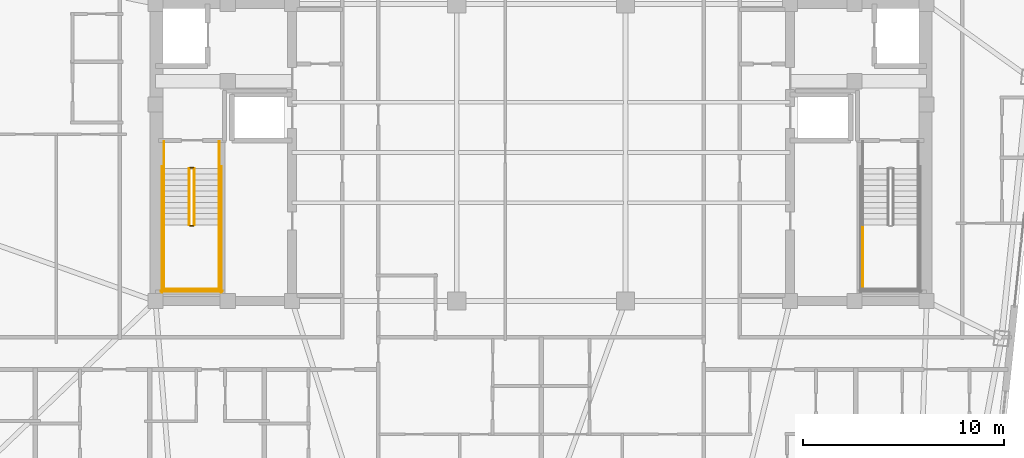
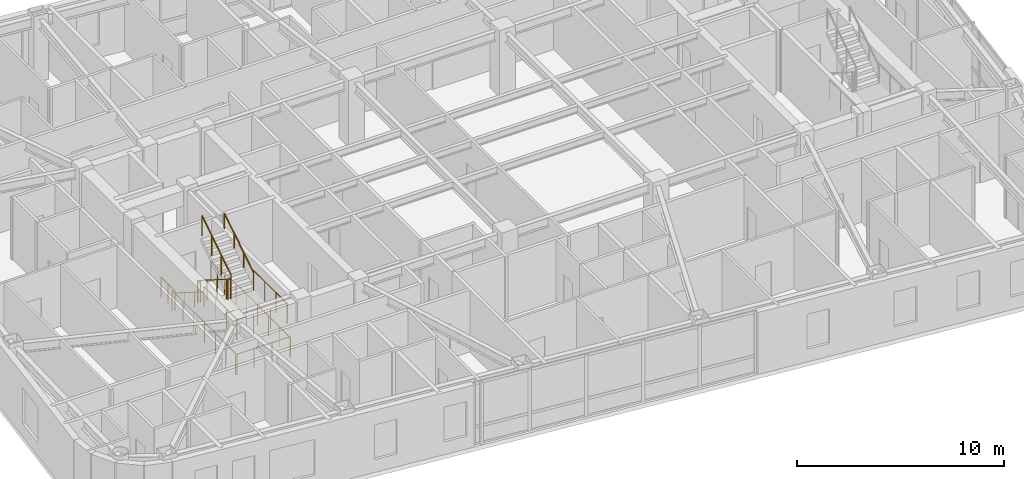
# One storey, part 22 of 23: 15 railings.
"""IFC4 building model written with IfcOpenShell, lengths in metres."""

from ifc_helpers import new_model, si_unit, direction, frame, origin, origin_2d, place, context, subcontext, project, spatial, circle, extrude, material, type_object, element, save


model = new_model("IFC4")

# Units and contexts
model_context = context("Model", 3, precision=1e-05, world=origin(), true_north=direction((0.0, 1.0)))
body_context = subcontext(model_context, "Body", "Model", "MODEL_VIEW")
ifc_project = project(units=[si_unit("LENGTHUNIT", "METRE"), si_unit("AREAUNIT", "SQUARE_METRE"), si_unit("VOLUMEUNIT", "CUBIC_METRE"), si_unit("PLANEANGLEUNIT", "RADIAN"), si_unit("MASSUNIT", "GRAM", prefix="KILO")], contexts=[model_context])

# Site, building, storey
site_placement = place(None, origin())
site = spatial("IfcSite", under=ifc_project, at=site_placement, CompositionType="ELEMENT")
building_placement = place(site_placement, origin())
building = spatial("IfcBuilding", under=site, at=building_placement, Name="Voryun Gate Residences", CompositionType="ELEMENT")
storey_placement = place(building_placement, frame((0.0, 0.0, 275.60009765625)))
storey = spatial("IfcBuildingStorey", under=building, at=storey_placement, Name="L68", CompositionType="ELEMENT", Elevation=275.60009765625)

# Railings
ifc_material_1 = material(Name="Painted steel", Category="steel")
railing_type_1 = type_object("IfcRailingType", Name="RAIL_STAIR_GUARD_1200", PredefinedType="GUARDRAIL", material=ifc_material_1)
railing_1_placement = place(storey_placement, frame((-17.52490234375, -0.800048828125, 0.17724609375)))
element("IfcRailing", 1, at=railing_1_placement, inside=storey, type_object=railing_type_1, Name="L68 ST-W1 stair guard 1", PredefinedType="GUARDRAIL", context=body_context, shape_type="SweptSolid", body=[
    extrude(circle(Radius=0.02392578125, at=origin_2d()), frame((0.0, 0.0, 1.17578125), z_axis=(0.0, -0.844908973607, 0.534910110503), x_axis=(1.0, 0.0, 0.0)), (0.0, 0.0, 1.0), 3.31396484375),
    extrude(circle(Radius=0.02099609375, at=origin_2d()), origin(), (0.0, 0.0, 1.0), 1.15185546875),
    extrude(circle(Radius=0.02099609375, at=origin_2d()), frame((0.0, -0.933349609375, 0.5908203125)), (0.0, 0.0, 1.0), 1.15185546875),
    extrude(circle(Radius=0.02099609375, at=origin_2d()), frame((0.0, -1.86669921875, 1.181884765625)), (0.0, 0.0, 1.0), 1.15185546875),
    extrude(circle(Radius=0.02099609375, at=origin_2d()), frame((0.0, -2.800048828125, 1.772705078125)), (0.0, 0.0, 1.0), 1.15185546875),
])
railing_2_placement = place(storey_placement, frame((-17.47509765625, -3.64990234375, 1.949951171875)))
element("IfcRailing", 2, at=railing_2_placement, inside=storey, type_object=railing_type_1, Name="L68 ST-W1 stair guard 2", PredefinedType="GUARDRAIL", context=body_context, shape_type="SweptSolid", body=[
    extrude(circle(Radius=0.02392578125, at=origin_2d()), frame((0.0, 0.0, 1.17578125), z_axis=(1.0, 0.0, 0.0), x_axis=(0.0, 1.0, 0.0)), (0.0, 0.0, 1.0), 0.150146484375),
    extrude(circle(Radius=0.02099609375, at=origin_2d()), origin(), (0.0, 0.0, 1.0), 1.15185546875),
    extrude(circle(Radius=0.02099609375, at=origin_2d()), frame((0.150146484375, 0.0, 0.0)), (0.0, 0.0, 1.0), 1.15185546875),
])
for number, where, name in (
    (3, (-18.77490234375, -3.60009765625, 1.949951171875), "L68 ST-W1 stair guard 3"),
    (4, (-16.02490234375, -3.60009765625, 1.949951171875), "L68 ST-W1 stair guard 4"),
):
    element("IfcRailing", number, at=place(storey_placement, frame(where)), inside=storey, type_object=railing_type_1, Name=name, PredefinedType="GUARDRAIL", context=body_context, shape_type="SweptSolid", body=[
        extrude(circle(Radius=0.02392578125, at=origin_2d()), frame((0.0, 0.0, 1.17578125), z_axis=(0.0, -1.0, 0.0), x_axis=(1.0, 0.0, 0.0)), (0.0, 0.0, 1.0), 3.25),
        extrude(circle(Radius=0.02099609375, at=origin_2d()), origin(), (0.0, 0.0, 1.0), 1.15185546875),
        extrude(circle(Radius=0.02099609375, at=origin_2d()), frame((0.0, -1.083251953125, 0.0)), (0.0, 0.0, 1.0), 1.15185546875),
        extrude(circle(Radius=0.02099609375, at=origin_2d()), frame((0.0, -2.166748046875, 0.0)), (0.0, 0.0, 1.0), 1.15185546875),
        extrude(circle(Radius=0.02099609375, at=origin_2d()), frame((0.0, -3.25, 0.0)), (0.0, 0.0, 1.0), 1.15185546875),
    ])
railing_3_placement = place(storey_placement, frame((-18.824951171875, -6.800048828125, 1.949951171875)))
element("IfcRailing", 5, at=railing_3_placement, inside=storey, type_object=railing_type_1, Name="L68 ST-W1 stair guard 5", PredefinedType="GUARDRAIL", context=body_context, shape_type="SweptSolid", body=[
    extrude(circle(Radius=0.02392578125, at=origin_2d()), frame((0.0, 0.0, 1.17578125), z_axis=(1.0, 0.0, 0.0), x_axis=(0.0, 1.0, 0.0)), (0.0, 0.0, 1.0), 2.849853515625),
    extrude(circle(Radius=0.02099609375, at=origin_2d()), origin(), (0.0, 0.0, 1.0), 1.15185546875),
    extrude(circle(Radius=0.02099609375, at=origin_2d()), frame((0.949951171875, 0.0, 0.0)), (0.0, 0.0, 1.0), 1.15185546875),
    extrude(circle(Radius=0.02099609375, at=origin_2d()), frame((1.89990234375, 0.0, 0.0)), (0.0, 0.0, 1.0), 1.15185546875),
    extrude(circle(Radius=0.02099609375, at=origin_2d()), frame((2.849853515625, 0.0, 0.0)), (0.0, 0.0, 1.0), 1.15185546875),
])
railing_4_placement = place(storey_placement, frame((-17.27490234375, -3.60009765625, 2.127197265625)))
element("IfcRailing", 6, at=railing_4_placement, inside=storey, type_object=railing_type_1, Name="L68 ST-W1 stair guard 6", PredefinedType="GUARDRAIL", context=body_context, shape_type="SweptSolid", body=[
    extrude(circle(Radius=0.02392578125, at=origin_2d()), frame((0.0, 0.0, 1.17578125), z_axis=(0.0, 0.844908973607, 0.534910110503), x_axis=(-1.0, 0.0, 0.0)), (0.0, 0.0, 1.0), 3.31396484375),
    extrude(circle(Radius=0.02099609375, at=origin_2d()), origin(), (0.0, 0.0, 1.0), 1.15185546875),
    extrude(circle(Radius=0.02099609375, at=origin_2d()), frame((0.0, 0.933349609375, 0.5908203125)), (0.0, 0.0, 1.0), 1.15185546875),
    extrude(circle(Radius=0.02099609375, at=origin_2d()), frame((0.0, 1.86669921875, 1.181884765625)), (0.0, 0.0, 1.0), 1.15185546875),
    extrude(circle(Radius=0.02099609375, at=origin_2d()), frame((0.0, 2.800048828125, 1.772705078125)), (0.0, 0.0, 1.0), 1.15185546875),
])
railing_5_placement = place(storey_placement, frame((-17.47509765625, -0.75, 0.0)))
element("IfcRailing", 7, at=railing_5_placement, inside=storey, type_object=railing_type_1, Name="L68 ST-W1 stair guard 7", PredefinedType="GUARDRAIL", context=body_context, shape_type="SweptSolid", body=[
    extrude(circle(Radius=0.02392578125, at=origin_2d()), frame((0.0, 0.0, 1.17578125), z_axis=(1.0, 0.0, 0.0), x_axis=(0.0, 1.0, 0.0)), (0.0, 0.0, 1.0), 0.150146484375),
    extrude(circle(Radius=0.02099609375, at=origin_2d()), origin(), (0.0, 0.0, 1.0), 1.15185546875),
    extrude(circle(Radius=0.02099609375, at=origin_2d()), frame((0.150146484375, 0.0, 0.0)), (0.0, 0.0, 1.0), 1.15185546875),
])
for number, where, name in (
    (8, (-18.77490234375, 0.550048828125, 0.0), "L68 ST-W1 stair guard 8"),
    (9, (-16.02490234375, 0.550048828125, 0.0), "L68 ST-W1 stair guard 9"),
):
    element("IfcRailing", number, at=place(storey_placement, frame(where)), inside=storey, type_object=railing_type_1, Name=name, PredefinedType="GUARDRAIL", context=body_context, shape_type="SweptSolid", body=[
        extrude(circle(Radius=0.02392578125, at=origin_2d()), frame((0.0, 0.0, 1.17578125), z_axis=(0.0, -1.0, 0.0), x_axis=(1.0, 0.0, 0.0)), (0.0, 0.0, 1.0), 1.35009765625),
        extrude(circle(Radius=0.02099609375, at=origin_2d()), origin(), (0.0, 0.0, 1.0), 1.15185546875),
        extrude(circle(Radius=0.02099609375, at=origin_2d()), frame((0.0, -0.675048828125, 0.0)), (0.0, 0.0, 1.0), 1.15185546875),
        extrude(circle(Radius=0.02099609375, at=origin_2d()), frame((0.0, -1.35009765625, 0.0)), (0.0, 0.0, 1.0), 1.15185546875),
    ])
for number, where, name in (
    (10, (-18.875, -0.699951171875, 0.0), "L68 ST-W1 stair guard 10"),
    (11, (-15.925048828125, -0.699951171875, 0.0), "L68 ST-W1 stair guard 11"),
):
    element("IfcRailing", number, at=place(storey_placement, frame(where)), inside=storey, type_object=railing_type_1, Name=name, PredefinedType="GUARDRAIL", context=body_context, shape_type="SweptSolid", body=[
        extrude(circle(Radius=0.02392578125, at=origin_2d()), frame((0.0, 0.0, 1.17578125), z_axis=(0.0, -1.0, 0.0), x_axis=(1.0, 0.0, 0.0)), (0.0, 0.0, 1.0), 6.25),
        extrude(circle(Radius=0.02099609375, at=origin_2d()), origin(), (0.0, 0.0, 1.0), 1.15185546875),
        extrude(circle(Radius=0.02099609375, at=origin_2d()), frame((0.0, -1.041748046875, 0.0)), (0.0, 0.0, 1.0), 1.15185546875),
        extrude(circle(Radius=0.02099609375, at=origin_2d()), frame((0.0, -2.083251953125, 0.0)), (0.0, 0.0, 1.0), 1.15185546875),
        extrude(circle(Radius=0.02099609375, at=origin_2d()), frame((0.0, -3.125, 0.0)), (0.0, 0.0, 1.0), 1.15185546875),
        extrude(circle(Radius=0.02099609375, at=origin_2d()), frame((0.0, -4.166748046875, 0.0)), (0.0, 0.0, 1.0), 1.15185546875),
        extrude(circle(Radius=0.02099609375, at=origin_2d()), frame((0.0, -5.208251953125, 0.0)), (0.0, 0.0, 1.0), 1.15185546875),
        extrude(circle(Radius=0.02099609375, at=origin_2d()), frame((0.0, -6.25, 0.0)), (0.0, 0.0, 1.0), 1.15185546875),
    ])
railing_6_placement = place(storey_placement, frame((-18.925048828125, -6.89990234375, 0.0)))
element("IfcRailing", 12, at=railing_6_placement, inside=storey, type_object=railing_type_1, Name="L68 ST-W1 stair guard 12", PredefinedType="GUARDRAIL", context=body_context, shape_type="SweptSolid", body=[
    extrude(circle(Radius=0.02392578125, at=origin_2d()), frame((0.0, 0.0, 1.17578125), z_axis=(1.0, 0.0, 0.0), x_axis=(0.0, 1.0, 0.0)), (0.0, 0.0, 1.0), 3.050048828125),
    extrude(circle(Radius=0.02099609375, at=origin_2d()), origin(), (0.0, 0.0, 1.0), 1.15185546875),
    extrude(circle(Radius=0.02099609375, at=origin_2d()), frame((1.0166015625, 0.0, 0.0)), (0.0, 0.0, 1.0), 1.15185546875),
    extrude(circle(Radius=0.02099609375, at=origin_2d()), frame((2.033447265625, 0.0, 0.0)), (0.0, 0.0, 1.0), 1.15185546875),
    extrude(circle(Radius=0.02099609375, at=origin_2d()), frame((3.050048828125, 0.0, 0.0)), (0.0, 0.0, 1.0), 1.15185546875),
])
railing_7_placement = place(storey_placement, frame((16.02490234375, -3.60009765625, 1.949951171875)))
element("IfcRailing", 13, at=railing_7_placement, inside=storey, type_object=railing_type_1, Name="L68 ST-E1 stair guard 3", PredefinedType="GUARDRAIL", context=body_context, shape_type="SweptSolid", body=[
    extrude(circle(Radius=0.02392578125, at=origin_2d()), frame((0.0, 0.0, 1.17578125), z_axis=(0.0, -1.0, 0.0), x_axis=(1.0, 0.0, 0.0)), (0.0, 0.0, 1.0), 3.25),
    extrude(circle(Radius=0.02099609375, at=origin_2d()), origin(), (0.0, 0.0, 1.0), 1.15185546875),
    extrude(circle(Radius=0.02099609375, at=origin_2d()), frame((0.0, -1.083251953125, 0.0)), (0.0, 0.0, 1.0), 1.15185546875),
    extrude(circle(Radius=0.02099609375, at=origin_2d()), frame((0.0, -2.166748046875, 0.0)), (0.0, 0.0, 1.0), 1.15185546875),
    extrude(circle(Radius=0.02099609375, at=origin_2d()), frame((0.0, -3.25, 0.0)), (0.0, 0.0, 1.0), 1.15185546875),
])
ifc_material_2 = material(Name="Painted steel", Category="steel")
railing_type_2 = type_object("IfcRailingType", Name="RAIL_STAIR_HANDRAIL_900", PredefinedType="HANDRAIL", material=ifc_material_2)
railing_8_placement = place(storey_placement, frame((-18.77490234375, -0.800048828125, 0.17724609375)))
element("IfcRailing", 14, at=railing_8_placement, inside=storey, type_object=railing_type_2, Name="L68 ST-W1 stair handrail 1", PredefinedType="HANDRAIL", context=body_context, shape_type="SweptSolid", body=[
    extrude(circle(Radius=0.02392578125, at=origin_2d()), frame((0.0, 0.0, 0.8759765625), z_axis=(0.0, -0.844908973607, 0.534910110503), x_axis=(1.0, 0.0, 0.0)), (0.0, 0.0, 1.0), 3.31396484375),
    extrude(circle(Radius=0.02099609375, at=origin_2d()), origin(), (0.0, 0.0, 1.0), 0.851806640625),
    extrude(circle(Radius=0.02099609375, at=origin_2d()), frame((0.0, -0.933349609375, 0.5908203125)), (0.0, 0.0, 1.0), 0.851806640625),
    extrude(circle(Radius=0.02099609375, at=origin_2d()), frame((0.0, -1.86669921875, 1.181884765625)), (0.0, 0.0, 1.0), 0.851806640625),
    extrude(circle(Radius=0.02099609375, at=origin_2d()), frame((0.0, -2.800048828125, 1.772705078125)), (0.0, 0.0, 1.0), 0.851806640625),
])
railing_9_placement = place(storey_placement, frame((-16.02490234375, -3.60009765625, 2.127197265625)))
element("IfcRailing", 15, at=railing_9_placement, inside=storey, type_object=railing_type_2, Name="L68 ST-W1 stair handrail 2", PredefinedType="HANDRAIL", context=body_context, shape_type="SweptSolid", body=[
    extrude(circle(Radius=0.02392578125, at=origin_2d()), frame((0.0, 0.0, 0.8759765625), z_axis=(0.0, 0.844908973607, 0.534910110503), x_axis=(-1.0, 0.0, 0.0)), (0.0, 0.0, 1.0), 3.31396484375),
    extrude(circle(Radius=0.02099609375, at=origin_2d()), origin(), (0.0, 0.0, 1.0), 0.851806640625),
    extrude(circle(Radius=0.02099609375, at=origin_2d()), frame((0.0, 0.933349609375, 0.5908203125)), (0.0, 0.0, 1.0), 0.851806640625),
    extrude(circle(Radius=0.02099609375, at=origin_2d()), frame((0.0, 1.86669921875, 1.181884765625)), (0.0, 0.0, 1.0), 0.851806640625),
    extrude(circle(Radius=0.02099609375, at=origin_2d()), frame((0.0, 2.800048828125, 1.772705078125)), (0.0, 0.0, 1.0), 0.851806640625),
])

save(model, "model.ifc")
